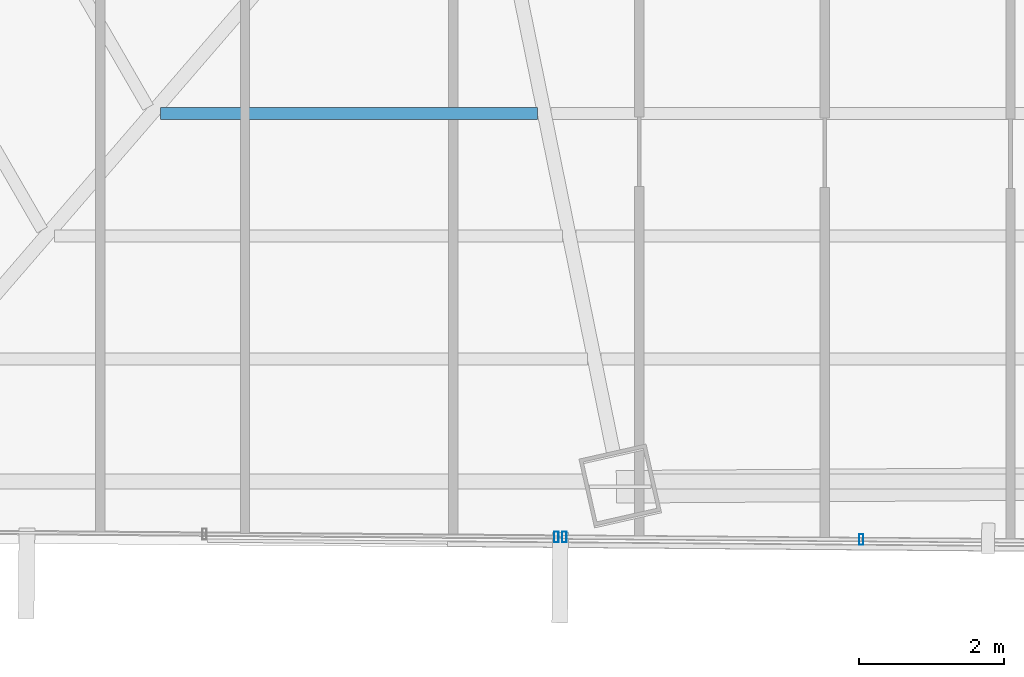
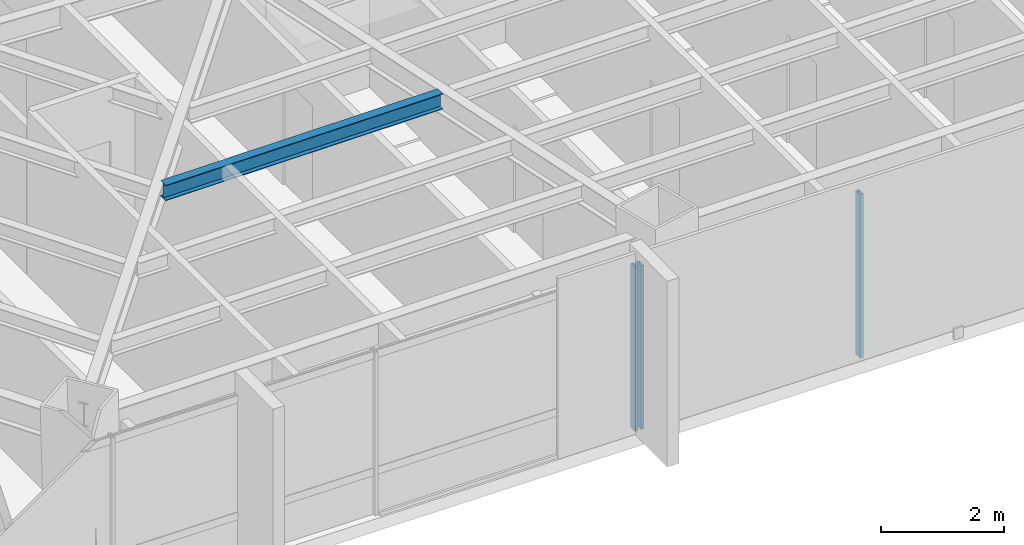
# One storey, part 8 of 40: 3 members, 1 beam, 2 elements without a shape of their own.
"""IFC4 building model written with IfcOpenShell, lengths in metres."""

from ifc_helpers import new_model, si_unit, direction, frame, origin, origin_2d, place, context, subcontext, project, spatial, hollow_rectangle, i_section, extrude, source, transform, mapped, material, material_profile, profile_set, type_object, type_shapes, element, aggregate, save


model = new_model("IFC4")

# Units and contexts
model_context = context("Model", 3, precision=1e-05, world=origin(), true_north=direction((0.0, 1.0)))
body_context = subcontext(model_context, "Body", "Model", "MODEL_VIEW")
ifc_project = project(units=[si_unit("LENGTHUNIT", "METRE"), si_unit("AREAUNIT", "SQUARE_METRE"), si_unit("VOLUMEUNIT", "CUBIC_METRE"), si_unit("PLANEANGLEUNIT", "RADIAN"), si_unit("MASSUNIT", "GRAM", prefix="KILO")], contexts=[model_context])

# Site, building, storey
site_placement = place(None, origin())
site = spatial("IfcSite", under=ifc_project, at=site_placement, CompositionType="ELEMENT")
building_placement = place(site_placement, origin())
building = spatial("IfcBuilding", under=site, at=building_placement, Name="Caelisora Broadcast Tower", CompositionType="ELEMENT")
storey_placement = place(building_placement, frame((0.0, 0.0, 146.39990234375)))
storey = spatial("IfcBuildingStorey", under=building, at=storey_placement, Name="L38", CompositionType="ELEMENT", Elevation=146.39990234375)

# Beam
ifc_material_1 = material(Name="Steel Grade 350 (AS/NZS 3679.1)", Category="steel")
ifc_material_profile_1 = material_profile(ifc_material_1, i_section(OverallWidth=0.166015625, OverallDepth=0.30712890625, WebThickness=0.006591796875, FlangeThickness=0.01171875, at=origin_2d()), Name="Steel Grade 350 (AS/NZS 3679.1)")
ifc_profile_set_1 = profile_set([ifc_material_profile_1], Name="Steel Grade 350 (AS/NZS 3679.1)")
beam_type = type_object("IfcBeamType", Name="SB03", PredefinedType="JOIST", material=ifc_profile_set_1)
shared_shape_1 = source(origin(), body_context, "Body", "SweptSolid", [
    extrude(i_section(OverallWidth=0.166015625, OverallDepth=0.30712890625, WebThickness=0.006591796875, FlangeThickness=0.01171875, at=origin_2d()), origin(), (0.0, 0.0, 1.0), 5.20947265625),
])
type_shapes(beam_type, [shared_shape_1])
beam_placement = place(storey_placement, frame((26.232421875, 12.312744140625, 3.096435546875), z_axis=(1.0, 0.0, 0.0), x_axis=(0.0, 1.0, 0.0)))
element("IfcBeam", 1, at=beam_placement, inside=storey, type_object=beam_type, Name="L38 beam SB03", PredefinedType="JOIST", context=body_context, shape_type="MappedRepresentation", body=[
    mapped(shared_shape_1, transform((0.0, 0.0, 0.0), scale=1.0)),
])

# Curtain wall, members
ifc_material_2 = material(Name="Unitised Aluminium Insulated Shadow-Box Spandrel Curtain Wall", Category="aluminium")
curtain_wall_type_1 = type_object("IfcCurtainWallType", Name="CW-SP2", PredefinedType="NOTDEFINED", material=ifc_material_2)
curtain_wall_1_placement = place(storey_placement, origin())
curtain_wall_1 = element("IfcCurtainWall", 2, at=curtain_wall_1_placement, inside=storey, type_object=curtain_wall_type_1, Name="L38 curtain wall CW-SP2", PredefinedType="NOTDEFINED")
ifc_material_3 = material(Name="Aluminium 6063-T6 Anodised Terracotta Bronze", Category="aluminium")
ifc_material_profile_2 = material_profile(ifc_material_3, hollow_rectangle(XDim=0.06005859375, YDim=0.14990234375, WallThickness=0.00341796875, at=origin_2d()), Name="Aluminium 6063-T6 Anodised Terracotta Bronze")
ifc_profile_set_2 = profile_set([ifc_material_profile_2], Name="Aluminium 6063-T6 Anodised Terracotta Bronze")
member_type = type_object("IfcMemberType", Name="CWM-03", PredefinedType="MULLION", material=ifc_profile_set_2)
shared_shape_2 = source(origin(), body_context, "Body", "SweptSolid", [
    extrude(hollow_rectangle(XDim=0.06005859375, YDim=0.14990234375, WallThickness=0.00341796875, at=origin_2d()), origin(), (0.0, 0.0, 1.0), 3.25),
])
type_shapes(member_type, [shared_shape_2])
member_1_placement = place(storey_placement, frame((35.9169921875, 6.42431640625, 0.0), z_axis=(0.0, 0.0, 1.0), x_axis=(1.0, 0.0, 0.0)))
member_1 = element("IfcMember", 3, at=member_1_placement, type_object=member_type, Name="L38-CW-B06 mullion #2", PredefinedType="MULLION", context=body_context, shape_type="MappedRepresentation", body=[
    mapped(shared_shape_2, transform((0.0, 0.0, 0.0), scale=1.0)),
])
member_2_placement = place(storey_placement, frame((31.8134765625, 6.458251953125, 0.0), z_axis=(0.0, 0.0, 1.0), x_axis=(1.0, 0.0, 0.0)))
member_2 = element("IfcMember", 4, at=member_2_placement, type_object=member_type, Name="L38-CW-B06 mullion #3", PredefinedType="MULLION", context=body_context, shape_type="MappedRepresentation", body=[
    mapped(shared_shape_2, transform((0.0, 0.0, 0.0), scale=1.0)),
])
aggregate(curtain_wall_1, [member_1, member_2])

# Curtain wall, member
ifc_material_4 = material(Name="Unitised Aluminium and Low-E Glass Curtain Wall", Category="glass")
curtain_wall_type_2 = type_object("IfcCurtainWallType", Name="CW-Z3", PredefinedType="NOTDEFINED", material=ifc_material_4)
curtain_wall_2_placement = place(storey_placement, origin())
curtain_wall_2 = element("IfcCurtainWall", 5, at=curtain_wall_2_placement, inside=storey, type_object=curtain_wall_type_2, Name="L38 curtain wall CW-Z3", PredefinedType="NOTDEFINED")
member_3_placement = place(storey_placement, frame((31.70361328125, 6.458984375, 0.0), z_axis=(0.0, 0.0, 1.0), x_axis=(1.0, 0.0, 0.0)))
member_3 = element("IfcMember", 6, at=member_3_placement, type_object=member_type, Name="L38-CW-B07 mullion #0", PredefinedType="MULLION", context=body_context, shape_type="MappedRepresentation", body=[
    mapped(shared_shape_2, transform((0.0, 0.0, 0.0), scale=1.0)),
])
aggregate(curtain_wall_2, [member_3])

save(model, "model.ifc")
